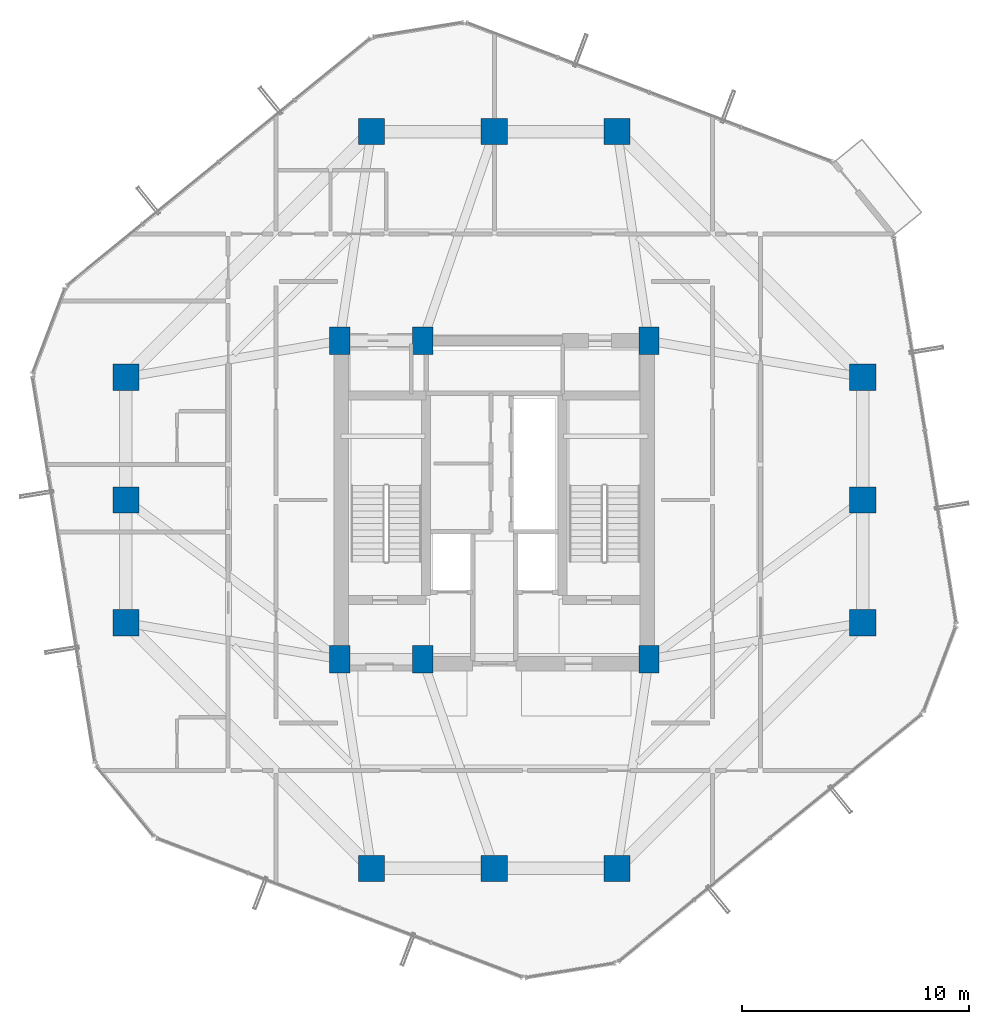
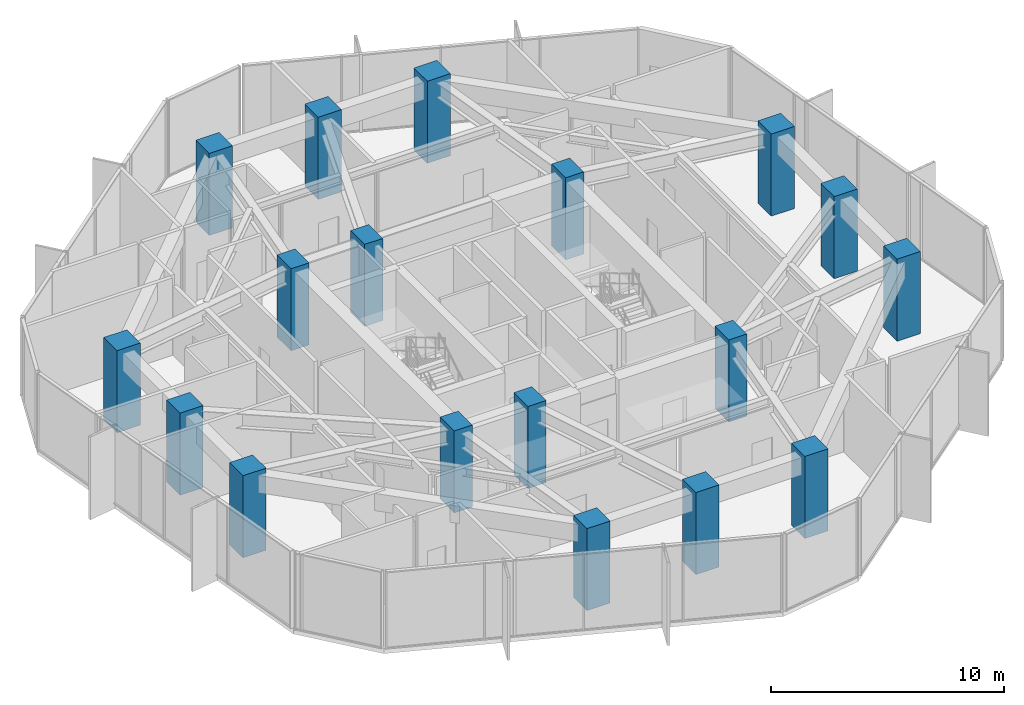
# One storey, part 1 of 26: 18 columns.
"""IFC4 building model written with IfcOpenShell, lengths in metres."""

from ifc_helpers import new_model, si_unit, direction, frame, origin, origin_2d, place, context, subcontext, project, spatial, rectangle, extrude, material, material_profile, profile_set, type_object, element, save


model = new_model("IFC4")

# Units and contexts
model_context = context("Model", 3, precision=1e-05, world=origin(), true_north=direction((0.0, 1.0)))
body_context = subcontext(model_context, "Body", "Model", "MODEL_VIEW")
ifc_project = project(units=[si_unit("LENGTHUNIT", "METRE"), si_unit("AREAUNIT", "SQUARE_METRE"), si_unit("VOLUMEUNIT", "CUBIC_METRE"), si_unit("PLANEANGLEUNIT", "RADIAN"), si_unit("MASSUNIT", "GRAM", prefix="KILO")], contexts=[model_context])

# Site, building, storey
site_placement = place(None, origin())
site = spatial("IfcSite", under=ifc_project, at=site_placement, CompositionType="ELEMENT")
building_placement = place(site_placement, origin())
building = spatial("IfcBuilding", under=site, at=building_placement, Name="Veraguas Prism Commons", CompositionType="ELEMENT")
storey_placement = place(building_placement, frame((0.0, 0.0, 158.75)))
storey = spatial("IfcBuildingStorey", under=building, at=storey_placement, Name="L45", CompositionType="ELEMENT", Elevation=158.75)

# Columns
ifc_material = material(Name="Concrete C60/75", Category="concrete")
ifc_material_profile_1 = material_profile(ifc_material, rectangle(XDim=1.14990234375, YDim=1.14990234375, at=origin_2d()), Name="RC1150X1150")
ifc_profile_set_1 = profile_set([ifc_material_profile_1], Name="Concrete C60/75")
column_type_1 = type_object("IfcColumnType", Name="Column Tube Z2 RC 1150x1150", PredefinedType="COLUMN", material=ifc_profile_set_1)
for number, where, z_axis, x_axis, name in (
    (1, (40.199951171875, 18.60009765625, 0.0), (0.0, 0.0, 1.0), (1.0, 0.0, 0.0), "Tower Perimeter Column L45-TB01"),
    (2, (40.199951171875, 24.0, 0.0), (0.0, 0.0, 1.0), (1.0, 0.0, 0.0), "Tower Perimeter Column L45-TB02"),
    (3, (40.199951171875, 29.39990234375, 0.0), (0.0, 0.0, 1.0), (1.0, 0.0, 0.0), "Tower Perimeter Column L45-TB03"),
    (4, (29.39990234375, 40.199951171875, 0.0), (0.0, 0.0, 1.0), (1.0, 0.0, 0.0), "Tower Perimeter Column L45-TB04"),
    (5, (24.0, 40.199951171875, 0.0), (0.0, 0.0, 1.0), (1.0, 0.0, 0.0), "Tower Perimeter Column L45-TB05"),
    (6, (18.60009765625, 40.199951171875, 0.0), (0.0, 0.0, 1.0), (1.0, 0.0, 0.0), "Tower Perimeter Column L45-TB06"),
    (7, (7.800048828125, 29.39990234375, 0.0), (0.0, 0.0, 1.0), (1.0, 0.0, 0.0), "Tower Perimeter Column L45-TB07"),
    (8, (7.800048828125, 24.0, 0.0), (0.0, 0.0, 1.0), (1.0, 0.0, 0.0), "Tower Perimeter Column L45-TB08"),
    (9, (7.800048828125, 18.60009765625, 0.0), (0.0, 0.0, 1.0), (1.0, 0.0, 0.0), "Tower Perimeter Column L45-TB09"),
    (10, (18.60009765625, 7.800048828125, 0.0), (0.0, 0.0, 1.0), (1.0, 0.0, 0.0), "Tower Perimeter Column L45-TB10"),
    (11, (24.0, 7.800048828125, 0.0), (0.0, 0.0, 1.0), (1.0, 0.0, 0.0), "Tower Perimeter Column L45-TB11"),
    (12, (29.39990234375, 7.800048828125, 0.0), (0.0, 0.0, 1.0), (1.0, 0.0, 0.0), "Tower Perimeter Column L45-TB12"),
):
    element("IfcColumn", number, at=place(storey_placement, frame(where, z_axis=z_axis, x_axis=x_axis)), inside=storey, type_object=column_type_1, Name=name, PredefinedType="COLUMN", context=body_context, shape_type="SweptSolid", body=[
        extrude(rectangle(XDim=1.14990234375, YDim=1.14990234375, at=origin_2d()), origin(), (0.0, 0.0, 1.0), 4.300048828125),
    ])
ifc_material_profile_2 = material_profile(ifc_material, rectangle(XDim=0.89990234375, YDim=1.199951171875, at=origin_2d()), Name="RC900X1200")
ifc_profile_set_2 = profile_set([ifc_material_profile_2], Name="Concrete C60/75")
column_type_2 = type_object("IfcColumnType", Name="Pilaster Core Lower RC 900x1200", PredefinedType="PILASTER", material=ifc_profile_set_2)
for number, where, z_axis, x_axis, name in (
    (13, (17.199951171875, 17.0, 0.0), (0.0, 0.0, 1.0), (1.0, 0.0, 0.0), "Core Pilaster Column L45-CR1"),
    (14, (20.85009765625, 17.0, 0.0), (0.0, 0.0, 1.0), (1.0, 0.0, 0.0), "Core Pilaster Column L45-CR2"),
    (15, (30.800048828125, 17.0, 0.0), (0.0, 0.0, 1.0), (1.0, 0.0, 0.0), "Core Pilaster Column L45-CR3"),
    (16, (17.199951171875, 31.0, 0.0), (0.0, 0.0, 1.0), (1.0, 0.0, 0.0), "Core Pilaster Column L45-CR4"),
    (17, (20.85009765625, 31.0, 0.0), (0.0, 0.0, 1.0), (1.0, 0.0, 0.0), "Core Pilaster Column L45-CR5"),
    (18, (30.800048828125, 31.0, 0.0), (0.0, 0.0, 1.0), (1.0, 0.0, 0.0), "Core Pilaster Column L45-CR6"),
):
    element("IfcColumn", number, at=place(storey_placement, frame(where, z_axis=z_axis, x_axis=x_axis)), inside=storey, type_object=column_type_2, Name=name, PredefinedType="PILASTER", context=body_context, shape_type="SweptSolid", body=[
        extrude(rectangle(XDim=0.89990234375, YDim=1.199951171875, at=origin_2d()), origin(), (0.0, 0.0, 1.0), 4.300048828125),
    ])

save(model, "model.ifc")
